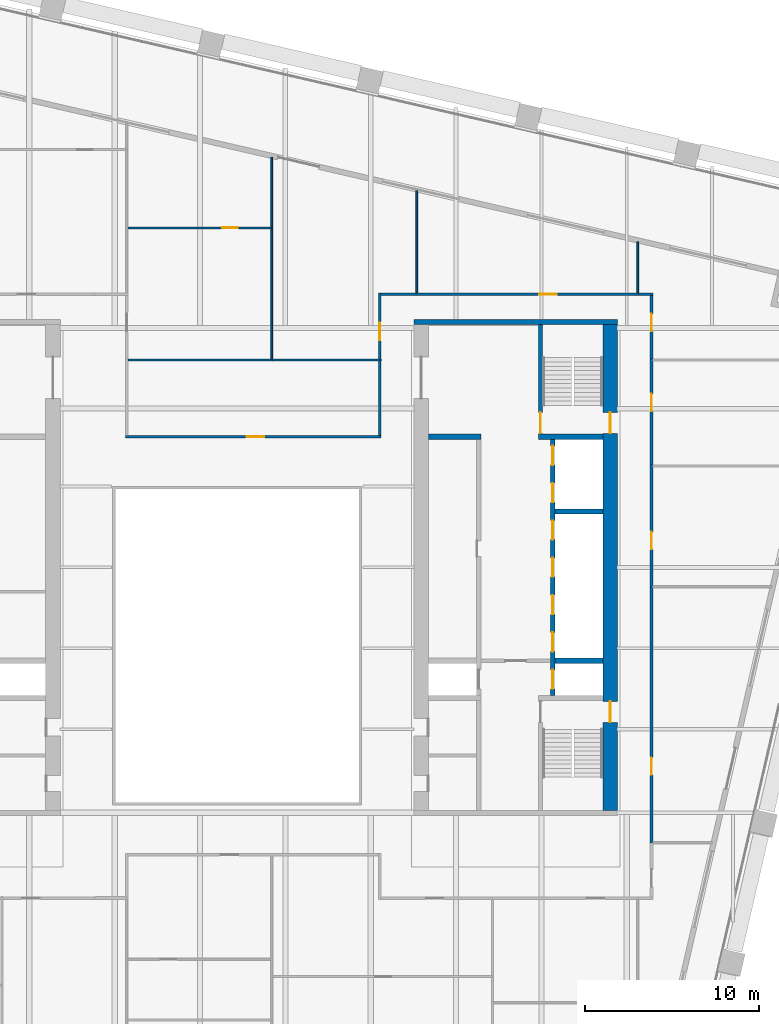
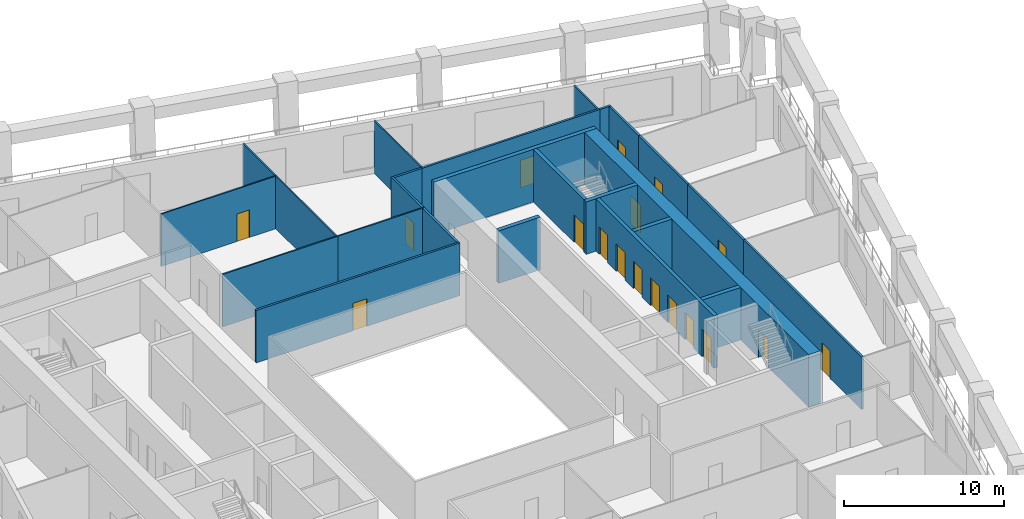
# One storey, part 8 of 12: 25 walls, 18 doors, 18 openings.
"""IFC4 building model written with IfcOpenShell, lengths in metres."""

from ifc_helpers import new_model, si_unit, direction, frame, frame_2d, origin, place, context, subcontext, project, spatial, rectangle, extrude, material, layer, layer_set, type_object, element, fill, save


model = new_model("IFC4")

# Units and contexts
model_context = context("Model", 3, precision=1e-05, world=origin(), true_north=direction((0.0, 1.0)))
body_context = subcontext(model_context, "Body", "Model", "MODEL_VIEW")
ifc_project = project(units=[si_unit("LENGTHUNIT", "METRE"), si_unit("AREAUNIT", "SQUARE_METRE"), si_unit("VOLUMEUNIT", "CUBIC_METRE"), si_unit("PLANEANGLEUNIT", "RADIAN"), si_unit("MASSUNIT", "GRAM", prefix="KILO")], contexts=[model_context])

# Site, building, storey
site_placement = place(None, origin())
site = spatial("IfcSite", under=ifc_project, at=site_placement, CompositionType="ELEMENT")
building_placement = place(site_placement, origin())
building = spatial("IfcBuilding", under=site, at=building_placement, Name="Ogive Exchange Tower", CompositionType="ELEMENT")
storey_placement = place(building_placement, frame((0.0, 0.0, 130.800048828125)))
storey = spatial("IfcBuildingStorey", under=building, at=storey_placement, Name="L28", CompositionType="ELEMENT", Elevation=130.800048828125)

# Wall
ifc_material_1 = material(Name="Gypsum board partition")
ifc_layer_1 = layer(ifc_material_1, 0.300048828125)
ifc_layer_set_1 = layer_set([ifc_layer_1], Name="Core room partition 300 gypsum")
wall_type_1 = type_object("IfcWallType", Name="Core room partition 300 gypsum", PredefinedType="PARTITIONING", material=ifc_layer_set_1)
wall_1_placement = place(storey_placement, frame((11.0, 19.0, 0.0), z_axis=(0.0, 0.0, 1.0), x_axis=(1.0, 0.0, 0.0)))
element("IfcWall", 1, at=wall_1_placement, inside=storey, type_object=wall_type_1, Name="E row B room end wall 7", PredefinedType="PARTITIONING", context=body_context, shape_type="SweptSolid", body=[
    extrude(rectangle(XDim=3.0, YDim=0.300048828125, at=frame_2d((1.5, 0.0))), origin(), (0.0, 0.0, 1.0), 4.0),
])

# Wall, opening, door
ifc_material_2 = material(Name="Fire partition EI 60 150")
ifc_layer_2 = layer(ifc_material_2, 0.14990234375)
ifc_layer_set_2 = layer_set([ifc_layer_2], Name="Fire partition EI 60 150")
wall_type_2 = type_object("IfcWallType", Name="Fire partition EI 60 150", PredefinedType="PARTITIONING", material=ifc_layer_set_2)
wall_2_placement = place(storey_placement, frame((-6.4150390625, 19.0, 0.0), z_axis=(0.0, 0.0, 1.0), x_axis=(1.0, 0.0, 0.0)))
wall_2 = element("IfcWall", 2, at=wall_2_placement, inside=storey, type_object=wall_type_2, Name="L28-PWL-043", PredefinedType="PARTITIONING", context=body_context, shape_type="SweptSolid", body=[
    extrude(rectangle(XDim=14.68994140625, YDim=0.14990234375, at=frame_2d((7.344970703125, 0.0))), origin(), (0.0, 0.0, 1.0), 4.0),
])
opening_1_placement = place(wall_2_placement, frame((6.965087890625, 0.0, 0.0)))
opening_1 = element("IfcOpeningElement", 3, at=opening_1_placement, cuts=wall_2, Name="Opening L28-I10", PredefinedType="OPENING", context=body_context, shape_type="SweptSolid", body=[
    extrude(rectangle(XDim=1.0, YDim=2.10009765625, at=frame_2d((0.5, 1.050048828125))), frame((0.0, 0.0849609375, 0.0), z_axis=(0.0, -1.0, 0.0), x_axis=(1.0, 0.0, 0.0)), (0.0, 0.0, 1.0), 0.169921875),
])
ifc_material_3 = material(Name="Fire door FD 30S 1000 x 2100")
door_type_1 = type_object("IfcDoorType", Name="Fire door FD 30S 1000 x 2100", OperationType="NOTDEFINED", PredefinedType="DOOR", material=ifc_material_3)
door_1_placement = place(opening_1_placement, origin())
door_1 = element("IfcDoor", 4, at=door_1_placement, inside=storey, type_object=door_type_1, Name="L28-IDR-010", ObjectType="DT3", OperationType="SINGLE_SWING_RIGHT", OverallHeight=2.10009765625, OverallWidth=1.0, PredefinedType="DOOR", context=body_context, shape_type="SweptSolid", body=[
    extrude(rectangle(XDim=1.0, YDim=2.10009765625, at=frame_2d((0.5, 1.050048828125))), frame((0.0, 0.02490234375, 0.0), z_axis=(0.0, -1.0, 0.0), x_axis=(1.0, 0.0, 0.0)), (0.0, 0.0, 1.0), 0.050048828125),
])
fill(opening_1, door_1)

# Wall
wall_3_placement = place(storey_placement, frame((8.199951171875, 19.074951171875, 0.0), z_axis=(0.0, 0.0, 1.0), x_axis=(0.0, 1.0, 0.0)))
element("IfcWall", 5, at=wall_3_placement, inside=storey, type_object=wall_type_2, Name="L28-PWL-063", PredefinedType="PARTITIONING", context=body_context, shape_type="SweptSolid", body=[
    extrude(rectangle(XDim=4.28515625, YDim=0.14990234375, at=frame_2d((2.142578125, 0.0))), origin(), (0.0, 0.0, 1.0), 4.0),
])

# Wall, opening, door
wall_4_placement = place(storey_placement, frame((8.199951171875, 23.4599609375, 0.0), z_axis=(0.0, 0.0, 1.0), x_axis=(0.0, 1.0, 0.0)))
wall_4 = element("IfcWall", 6, at=wall_4_placement, inside=storey, type_object=wall_type_2, Name="L28-PWL-064", PredefinedType="PARTITIONING", context=body_context, shape_type="SweptSolid", body=[
    extrude(rectangle(XDim=3.81494140625, YDim=0.14990234375, at=frame_2d((1.907470703125, 0.0))), origin(), (0.0, 0.0, 1.0), 4.0),
])
opening_2_placement = place(wall_4_placement, frame((1.090087890625, 0.0, 0.0)))
opening_2 = element("IfcOpeningElement", 7, at=opening_2_placement, cuts=wall_4, Name="Opening L28-I15", PredefinedType="OPENING", context=body_context, shape_type="SweptSolid", body=[
    extrude(rectangle(XDim=1.0, YDim=2.10009765625, at=frame_2d((0.5, 1.050048828125))), frame((0.0, 0.0849609375, 0.0), z_axis=(0.0, -1.0, 0.0), x_axis=(1.0, 0.0, 0.0)), (0.0, 0.0, 1.0), 0.169921875),
])
door_2_placement = place(opening_2_placement, origin())
door_2 = element("IfcDoor", 8, at=door_2_placement, inside=storey, type_object=door_type_1, Name="L28-IDR-015", ObjectType="DT3", OperationType="SINGLE_SWING_RIGHT", OverallHeight=2.10009765625, OverallWidth=1.0, PredefinedType="DOOR", context=body_context, shape_type="SweptSolid", body=[
    extrude(rectangle(XDim=1.0, YDim=2.10009765625, at=frame_2d((0.5, 1.050048828125))), frame((0.0, 0.02490234375, 0.0), z_axis=(0.0, -1.0, 0.0), x_axis=(1.0, 0.0, 0.0)), (0.0, 0.0, 1.0), 0.050048828125),
])
fill(opening_2, door_2)

# Wall
wall_5_placement = place(storey_placement, frame((8.27490234375, 27.199951171875, 0.0), z_axis=(0.0, 0.0, 1.0), x_axis=(1.0, 0.0, 0.0)))
element("IfcWall", 9, at=wall_5_placement, inside=storey, type_object=wall_type_2, Name="L28-PWL-065", PredefinedType="PARTITIONING", context=body_context, shape_type="SweptSolid", body=[
    extrude(rectangle(XDim=1.9951171875, YDim=0.14990234375, at=frame_2d((0.99755859375, 0.0))), origin(), (0.0, 0.0, 1.0), 4.0),
])

# Wall, opening, door
wall_6_placement = place(storey_placement, frame((10.27001953125, 27.199951171875, 0.0), z_axis=(0.0, 0.0, 1.0), x_axis=(1.0, 0.0, 0.0)))
wall_6 = element("IfcWall", 10, at=wall_6_placement, inside=storey, type_object=wall_type_2, Name="L28-PWL-066", PredefinedType="PARTITIONING", context=body_context, shape_type="SweptSolid", body=[
    extrude(rectangle(XDim=12.7900390625, YDim=0.14990234375, at=frame_2d((6.39501953125, 0.0))), origin(), (0.0, 0.0, 1.0), 4.0),
])
opening_3_placement = place(wall_6_placement, frame((7.090087890625, 0.0, 0.0)))
opening_3 = element("IfcOpeningElement", 11, at=opening_3_placement, cuts=wall_6, Name="Opening L28-I16", PredefinedType="OPENING", context=body_context, shape_type="SweptSolid", body=[
    extrude(rectangle(XDim=1.0, YDim=2.10009765625, at=frame_2d((0.5, 1.050048828125))), frame((0.0, 0.0849609375, 0.0), z_axis=(0.0, -1.0, 0.0), x_axis=(1.0, 0.0, 0.0)), (0.0, 0.0, 1.0), 0.169921875),
])
door_3_placement = place(opening_3_placement, origin())
door_3 = element("IfcDoor", 12, at=door_3_placement, inside=storey, type_object=door_type_1, Name="L28-IDR-016", ObjectType="DT3", OperationType="SINGLE_SWING_LEFT", OverallHeight=2.10009765625, OverallWidth=1.0, PredefinedType="DOOR", context=body_context, shape_type="SweptSolid", body=[
    extrude(rectangle(XDim=1.0, YDim=2.10009765625, at=frame_2d((0.5, 1.050048828125))), frame((0.0, 0.02490234375, 0.0), z_axis=(0.0, -1.0, 0.0), x_axis=(1.0, 0.0, 0.0)), (0.0, 0.0, 1.0), 0.050048828125),
])
fill(opening_3, door_3)

# Wall
wall_7_placement = place(storey_placement, frame((23.06005859375, 27.199951171875, 0.0), z_axis=(0.0, 0.0, 1.0), x_axis=(1.0, 0.0, 0.0)))
element("IfcWall", 13, at=wall_7_placement, inside=storey, type_object=wall_type_2, Name="L28-PWL-078", PredefinedType="PARTITIONING", context=body_context, shape_type="SweptSolid", body=[
    extrude(rectangle(XDim=0.81494140625, YDim=0.14990234375, at=frame_2d((0.407470703125, 0.0))), origin(), (0.0, 0.0, 1.0), 4.0),
])

# Wall, opening, door
wall_8_placement = place(storey_placement, frame((23.800048828125, 10.43994140625, 0.0), z_axis=(0.0, 0.0, 1.0), x_axis=(0.0, -1.0, 0.0)))
wall_8 = element("IfcWall", 14, at=wall_8_placement, inside=storey, type_object=wall_type_2, Name="L28-PWL-083", PredefinedType="PARTITIONING", context=body_context, shape_type="SweptSolid", body=[
    extrude(rectangle(XDim=14.760009765625, YDim=0.14990234375, at=frame_2d((7.3798828125, 0.0))), origin(), (0.0, 0.0, 1.0), 4.0),
])
opening_4_placement = place(wall_8_placement, frame((9.860107421875, 0.0, 0.0)))
opening_4 = element("IfcOpeningElement", 15, at=opening_4_placement, cuts=wall_8, Name="Opening L28-I09", PredefinedType="OPENING", context=body_context, shape_type="SweptSolid", body=[
    extrude(rectangle(XDim=1.0, YDim=2.10009765625, at=frame_2d((0.5, 1.050048828125))), frame((0.0, 0.0849609375, 0.0), z_axis=(0.0, -1.0, 0.0), x_axis=(1.0, 0.0, 0.0)), (0.0, 0.0, 1.0), 0.169921875),
])
door_4_placement = place(opening_4_placement, origin())
door_4 = element("IfcDoor", 16, at=door_4_placement, inside=storey, type_object=door_type_1, Name="L28-IDR-009", ObjectType="DT3", OperationType="SINGLE_SWING_LEFT", OverallHeight=2.10009765625, OverallWidth=1.0, PredefinedType="DOOR", context=body_context, shape_type="SweptSolid", body=[
    extrude(rectangle(XDim=1.0, YDim=2.10009765625, at=frame_2d((0.5, 1.050048828125))), frame((0.0, 0.02490234375, 0.0), z_axis=(0.0, -1.0, 0.0), x_axis=(1.0, 0.0, 0.0)), (0.0, 0.0, 1.0), 0.050048828125),
])
fill(opening_4, door_4)

wall_9_placement = place(storey_placement, frame((23.800048828125, 17.3701171875, 0.0), z_axis=(0.0, 0.0, 1.0), x_axis=(0.0, -1.0, 0.0)))
wall_9 = element("IfcWall", 17, at=wall_9_placement, inside=storey, type_object=wall_type_2, Name="L28-PWL-085", PredefinedType="PARTITIONING", context=body_context, shape_type="SweptSolid", body=[
    extrude(rectangle(XDim=6.980224609375, YDim=0.14990234375, at=frame_2d((3.490234375, 0.0))), origin(), (0.0, 0.0, 1.0), 4.0),
])
opening_5_placement = place(wall_9_placement, frame((3.830078125, 0.0, 0.0)))
opening_5 = element("IfcOpeningElement", 18, at=opening_5_placement, cuts=wall_9, Name="Opening L28-I11", PredefinedType="OPENING", context=body_context, shape_type="SweptSolid", body=[
    extrude(rectangle(XDim=1.0, YDim=2.10009765625, at=frame_2d((0.5, 1.050048828125))), frame((0.0, 0.0849609375, 0.0), z_axis=(0.0, -1.0, 0.0), x_axis=(1.0, 0.0, 0.0)), (0.0, 0.0, 1.0), 0.169921875),
])
door_5_placement = place(opening_5_placement, origin())
door_5 = element("IfcDoor", 19, at=door_5_placement, inside=storey, type_object=door_type_1, Name="L28-IDR-011", ObjectType="DT3", OperationType="SINGLE_SWING_LEFT", OverallHeight=2.10009765625, OverallWidth=1.0, PredefinedType="DOOR", context=body_context, shape_type="SweptSolid", body=[
    extrude(rectangle(XDim=1.0, YDim=2.10009765625, at=frame_2d((0.5, 1.050048828125))), frame((0.0, 0.02490234375, 0.0), z_axis=(0.0, -1.0, 0.0), x_axis=(1.0, 0.0, 0.0)), (0.0, 0.0, 1.0), 0.050048828125),
])
fill(opening_5, door_5)

wall_10_placement = place(storey_placement, frame((23.800048828125, 23.4599609375, 0.0), z_axis=(0.0, 0.0, 1.0), x_axis=(0.0, -1.0, 0.0)))
wall_10 = element("IfcWall", 20, at=wall_10_placement, inside=storey, type_object=wall_type_2, Name="L28-PWL-087", PredefinedType="PARTITIONING", context=body_context, shape_type="SweptSolid", body=[
    extrude(rectangle(XDim=6.08984375, YDim=0.14990234375, at=frame_2d((3.044921875, 0.0))), origin(), (0.0, 0.0, 1.0), 4.0),
])
opening_6_placement = place(wall_10_placement, frame((1.989990234375, 0.0, 0.0)))
opening_6 = element("IfcOpeningElement", 21, at=opening_6_placement, cuts=wall_10, Name="Opening L28-I12", PredefinedType="OPENING", context=body_context, shape_type="SweptSolid", body=[
    extrude(rectangle(XDim=1.0, YDim=2.10009765625, at=frame_2d((0.5, 1.050048828125))), frame((0.0, 0.0849609375, 0.0), z_axis=(0.0, -1.0, 0.0), x_axis=(1.0, 0.0, 0.0)), (0.0, 0.0, 1.0), 0.169921875),
])
door_6_placement = place(opening_6_placement, origin())
door_6 = element("IfcDoor", 22, at=door_6_placement, inside=storey, type_object=door_type_1, Name="L28-IDR-012", ObjectType="DT3", OperationType="SINGLE_SWING_RIGHT", OverallHeight=2.10009765625, OverallWidth=1.0, PredefinedType="DOOR", context=body_context, shape_type="SweptSolid", body=[
    extrude(rectangle(XDim=1.0, YDim=2.10009765625, at=frame_2d((0.5, 1.050048828125))), frame((0.0, 0.02490234375, 0.0), z_axis=(0.0, -1.0, 0.0), x_axis=(1.0, 0.0, 0.0)), (0.0, 0.0, 1.0), 0.050048828125),
])
fill(opening_6, door_6)

wall_11_placement = place(storey_placement, frame((23.800048828125, 27.125, 0.0), z_axis=(0.0, 0.0, 1.0), x_axis=(0.0, -1.0, 0.0)))
wall_11 = element("IfcWall", 23, at=wall_11_placement, inside=storey, type_object=wall_type_2, Name="L28-PWL-089", PredefinedType="PARTITIONING", context=body_context, shape_type="SweptSolid", body=[
    extrude(rectangle(XDim=3.6650390625, YDim=0.14990234375, at=frame_2d((1.83251953125, 0.0))), origin(), (0.0, 0.0, 1.0), 4.0),
])
opening_7_placement = place(wall_11_placement, frame((1.06494140625, 0.0, 0.0)))
opening_7 = element("IfcOpeningElement", 24, at=opening_7_placement, cuts=wall_11, Name="Opening L28-I17", PredefinedType="OPENING", context=body_context, shape_type="SweptSolid", body=[
    extrude(rectangle(XDim=1.0, YDim=2.10009765625, at=frame_2d((0.5, 1.050048828125))), frame((0.0, 0.0849609375, 0.0), z_axis=(0.0, -1.0, 0.0), x_axis=(1.0, 0.0, 0.0)), (0.0, 0.0, 1.0), 0.169921875),
])
door_7_placement = place(opening_7_placement, origin())
door_7 = element("IfcDoor", 25, at=door_7_placement, inside=storey, type_object=door_type_1, Name="L28-IDR-017", ObjectType="DT3", OperationType="SINGLE_SWING_LEFT", OverallHeight=2.10009765625, OverallWidth=1.0, PredefinedType="DOOR", context=body_context, shape_type="SweptSolid", body=[
    extrude(rectangle(XDim=1.0, YDim=2.10009765625, at=frame_2d((0.5, 1.050048828125))), frame((0.0, 0.02490234375, 0.0), z_axis=(0.0, -1.0, 0.0), x_axis=(1.0, 0.0, 0.0)), (0.0, 0.0, 1.0), 0.050048828125),
])
fill(opening_7, door_7)

# Walls
ifc_material_4 = material(Name="Partition 100 gypsum")
ifc_layer_3 = layer(ifc_material_4, 0.10009765625)
ifc_layer_set_3 = layer_set([ifc_layer_3], Name="Partition 100 gypsum")
wall_type_3 = type_object("IfcWallType", Name="Partition 100 gypsum", PredefinedType="PARTITIONING", material=ifc_layer_set_3)
wall_12_placement = place(storey_placement, frame((-6.264892578125, 23.409912109375, 0.0), z_axis=(0.0, 0.0, 1.0), x_axis=(1.0, 0.0, 0.0)))
element("IfcWall", 26, at=wall_12_placement, inside=storey, type_object=wall_type_3, Name="L28-PWL-045", PredefinedType="PARTITIONING", context=body_context, shape_type="SweptSolid", body=[
    extrude(rectangle(XDim=8.304931640625, YDim=0.10009765625, at=frame_2d((4.15234375, 0.0))), origin(), (0.0, 0.0, 1.0), 4.0),
])
wall_13_placement = place(storey_placement, frame((2.0400390625, 23.409912109375, 0.0), z_axis=(0.0, 0.0, 1.0), x_axis=(1.0, 0.0, 0.0)))
element("IfcWall", 27, at=wall_13_placement, inside=storey, type_object=wall_type_3, Name="L28-PWL-057", PredefinedType="PARTITIONING", context=body_context, shape_type="SweptSolid", body=[
    extrude(rectangle(XDim=6.23486328125, YDim=0.10009765625, at=frame_2d((3.117431640625, 0.0))), origin(), (0.0, 0.0, 1.0), 4.0),
])

# Wall, opening, door
wall_14_placement = place(storey_placement, frame((2.0400390625, 31.0, 0.0), z_axis=(0.0, 0.0, 1.0), x_axis=(-1.0, 0.0, 0.0)))
wall_14 = element("IfcWall", 28, at=wall_14_placement, inside=storey, type_object=wall_type_3, Name="L28-PWL-058", PredefinedType="PARTITIONING", context=body_context, shape_type="SweptSolid", body=[
    extrude(rectangle(XDim=8.330078125, YDim=0.10009765625, at=frame_2d((4.1650390625, 0.0))), origin(), (0.0, 0.0, 1.0), 4.0),
])
opening_8_placement = place(wall_14_placement, frame((2.0, 0.0, 0.0)))
opening_8 = element("IfcOpeningElement", 29, at=opening_8_placement, cuts=wall_14, Name="Opening L28-I13", PredefinedType="OPENING", context=body_context, shape_type="SweptSolid", body=[
    extrude(rectangle(XDim=0.89990234375, YDim=2.10009765625, at=frame_2d((0.449951171875, 1.050048828125))), frame((0.0, 0.06005859375, 0.0), z_axis=(0.0, -1.0, 0.0), x_axis=(1.0, 0.0, 0.0)), (0.0, 0.0, 1.0), 0.1201171875),
])
ifc_material_5 = material(Name="Door 900 x 2100")
door_type_2 = type_object("IfcDoorType", Name="Door 900 x 2100", OperationType="NOTDEFINED", PredefinedType="DOOR", material=ifc_material_5)
door_8_placement = place(opening_8_placement, frame((0.89990234375, 0.0, 0.0), z_axis=(0.0, 0.0, 1.0), x_axis=(-1.0, 0.0, 0.0)))
door_8 = element("IfcDoor", 30, at=door_8_placement, inside=storey, type_object=door_type_2, Name="L28-IDR-013", ObjectType="DT1", OperationType="SINGLE_SWING_LEFT", OverallHeight=2.10009765625, OverallWidth=0.89990234375, PredefinedType="DOOR", context=body_context, shape_type="SweptSolid", body=[
    extrude(rectangle(XDim=0.89990234375, YDim=2.10009765625, at=frame_2d((0.449951171875, 1.050048828125))), frame((0.0, 0.02490234375, 0.0), z_axis=(0.0, -1.0, 0.0), x_axis=(1.0, 0.0, 0.0)), (0.0, 0.0, 1.0), 0.050048828125),
])
fill(opening_8, door_8)

# Walls
wall_15_placement = place(storey_placement, frame((1.989990234375, 30.949951171875, 0.0), z_axis=(0.0, 0.0, 1.0), x_axis=(0.0, -1.0, 0.0)))
element("IfcWall", 31, at=wall_15_placement, inside=storey, type_object=wall_type_3, Name="L28-PWL-059", PredefinedType="PARTITIONING", context=body_context, shape_type="SweptSolid", body=[
    extrude(rectangle(XDim=7.489990234375, YDim=0.10009765625, at=frame_2d((3.7451171875, 0.0))), origin(), (0.0, 0.0, 1.0), 4.0),
])
wall_16_placement = place(storey_placement, frame((1.989990234375, 35.06494140625, 0.0), z_axis=(0.0, 0.0, 1.0), x_axis=(0.0, -1.0, 0.0)))
element("IfcWall", 32, at=wall_16_placement, inside=storey, type_object=wall_type_3, Name="L28-PWL-060", PredefinedType="PARTITIONING", context=body_context, shape_type="SweptSolid", body=[
    extrude(rectangle(XDim=4.014892578125, YDim=0.10009765625, at=frame_2d((2.00732421875, 0.0))), origin(), (0.0, 0.0, 1.0), 4.0),
])
wall_17_placement = place(storey_placement, frame((10.320068359375, 33.14208984375, 0.0), z_axis=(0.0, 0.0, 1.0), x_axis=(0.0, -1.0, 0.0)))
element("IfcWall", 33, at=wall_17_placement, inside=storey, type_object=wall_type_3, Name="L28-PWL-067", PredefinedType="PARTITIONING", context=body_context, shape_type="SweptSolid", body=[
    extrude(rectangle(XDim=5.8671875, YDim=0.10009765625, at=frame_2d((2.93359375, 0.0))), origin(), (0.0, 0.0, 1.0), 4.0),
])
wall_18_placement = place(storey_placement, frame((23.010009765625, 30.2119140625, 0.0), z_axis=(0.0, 0.0, 1.0), x_axis=(0.0, -1.0, 0.0)))
element("IfcWall", 34, at=wall_18_placement, inside=storey, type_object=wall_type_3, Name="L28-PWL-079", PredefinedType="PARTITIONING", context=body_context, shape_type="SweptSolid", body=[
    extrude(rectangle(XDim=2.93701171875, YDim=0.10009765625, at=frame_2d((1.468505859375, 0.0))), origin(), (0.0, 0.0, 1.0), 4.0),
])

# Wall, opening, door
ifc_material_6 = material(Name="Concrete C70/85", Category="concrete")
ifc_layer_4 = layer(ifc_material_6, 0.25)
ifc_layer_set_4 = layer_set([ifc_layer_4], Name="RC core wall 250 C70/85")
wall_type_4 = type_object("IfcWallType", Name="RC core wall 250 C70/85", PredefinedType="SHEAR", material=ifc_layer_set_4)
wall_19_placement = place(storey_placement, frame((17.425048828125, 19.14990234375, 0.0), z_axis=(0.0, 0.0, 1.0), x_axis=(0.0, 1.0, 0.0)))
wall_19 = element("IfcWall", 35, at=wall_19_placement, inside=storey, type_object=wall_type_4, Name="E stair N front wall", PredefinedType="SHEAR", context=body_context, shape_type="SweptSolid", body=[
    extrude(rectangle(XDim=6.300048828125, YDim=0.25, at=frame_2d((3.14990234375, 0.0))), origin(), (0.0, 0.0, 1.0), 4.0),
])
opening_9_placement = place(wall_19_placement, frame((0.050048828125, 0.0, 0.0)))
opening_9 = element("IfcOpeningElement", 36, at=opening_9_placement, cuts=wall_19, Name="Opening L28-C32", PredefinedType="OPENING", context=body_context, shape_type="SweptSolid", body=[
    extrude(rectangle(XDim=1.199951171875, YDim=2.10009765625, at=frame_2d((0.60009765625, 1.050048828125))), frame((0.0, 0.135009765625, 0.0), z_axis=(0.0, -1.0, 0.0), x_axis=(1.0, 0.0, 0.0)), (0.0, 0.0, 1.0), 0.27001953125),
])
ifc_material_7 = material(Name="Steel fire door", Category="steel")
door_type_3 = type_object("IfcDoorType", Name="Stair door FD90 1200 x 2100", OperationType="NOTDEFINED", PredefinedType="DOOR", material=ifc_material_7)
door_9_placement = place(opening_9_placement, frame((1.199951171875, 0.0, 0.0), z_axis=(0.0, 0.0, 1.0), x_axis=(-1.0, 0.0, 0.0)))
door_9 = element("IfcDoor", 37, at=door_9_placement, inside=storey, type_object=door_type_3, Name="Stair door", ObjectType="CD5", OperationType="SINGLE_SWING_LEFT", OverallHeight=2.10009765625, OverallWidth=1.199951171875, PredefinedType="DOOR", context=body_context, shape_type="SweptSolid", body=[
    extrude(rectangle(XDim=1.199951171875, YDim=2.10009765625, at=frame_2d((0.60009765625, 1.050048828125))), frame((0.0, 0.02490234375, 0.0), z_axis=(0.0, -1.0, 0.0), x_axis=(1.0, 0.0, 0.0)), (0.0, 0.0, 1.0), 0.050048828125),
])
fill(opening_9, door_9)

# Wall, openings, doors
wall_20_placement = place(storey_placement, frame((18.125, 4.14990234375, 0.0), z_axis=(0.0, 0.0, 1.0), x_axis=(0.0, 1.0, 0.0)))
wall_20 = element("IfcWall", 38, at=wall_20_placement, inside=storey, type_object=wall_type_4, Name="E row A front wall", PredefinedType="SHEAR", context=body_context, shape_type="SweptSolid", body=[
    extrude(rectangle(XDim=14.7001953125, YDim=0.25, at=frame_2d((7.35009765625, 0.0))), origin(), (0.0, 0.0, 1.0), 4.0),
])
opening_10_placement = place(wall_20_placement, frame((0.371337890625, 0.0, 0.0)))
opening_10 = element("IfcOpeningElement", 39, at=opening_10_placement, cuts=wall_20, Name="Opening L28-C19", PredefinedType="OPENING", context=body_context, shape_type="SweptSolid", body=[
    extrude(rectangle(XDim=1.10009765625, YDim=2.10009765625, at=frame_2d((0.550048828125, 1.050048828125))), frame((0.0, 0.135009765625, 0.0), z_axis=(0.0, -1.0, 0.0), x_axis=(1.0, 0.0, 0.0)), (0.0, 0.0, 1.0), 0.27001953125),
])
opening_11_placement = place(wall_20_placement, frame((2.514404296875, 0.0, 0.0)))
opening_11 = element("IfcOpeningElement", 40, at=opening_11_placement, cuts=wall_20, Name="Opening L28-C20", PredefinedType="OPENING", context=body_context, shape_type="SweptSolid", body=[
    extrude(rectangle(XDim=1.10009765625, YDim=2.10009765625, at=frame_2d((0.550048828125, 1.050048828125))), frame((0.0, 0.135009765625, 0.0), z_axis=(0.0, -1.0, 0.0), x_axis=(1.0, 0.0, 0.0)), (0.0, 0.0, 1.0), 0.27001953125),
])
opening_12_placement = place(wall_20_placement, frame((4.656982421875, 0.0, 0.0)))
opening_12 = element("IfcOpeningElement", 41, at=opening_12_placement, cuts=wall_20, Name="Opening L28-C21", PredefinedType="OPENING", context=body_context, shape_type="SweptSolid", body=[
    extrude(rectangle(XDim=1.10009765625, YDim=2.10009765625, at=frame_2d((0.550048828125, 1.050048828125))), frame((0.0, 0.135009765625, 0.0), z_axis=(0.0, -1.0, 0.0), x_axis=(1.0, 0.0, 0.0)), (0.0, 0.0, 1.0), 0.27001953125),
])
opening_13_placement = place(wall_20_placement, frame((6.800048828125, 0.0, 0.0)))
opening_13 = element("IfcOpeningElement", 42, at=opening_13_placement, cuts=wall_20, Name="Opening L28-C22", PredefinedType="OPENING", context=body_context, shape_type="SweptSolid", body=[
    extrude(rectangle(XDim=1.10009765625, YDim=2.10009765625, at=frame_2d((0.550048828125, 1.050048828125))), frame((0.0, 0.135009765625, 0.0), z_axis=(0.0, -1.0, 0.0), x_axis=(1.0, 0.0, 0.0)), (0.0, 0.0, 1.0), 0.27001953125),
])
opening_14_placement = place(wall_20_placement, frame((8.94287109375, 0.0, 0.0)))
opening_14 = element("IfcOpeningElement", 43, at=opening_14_placement, cuts=wall_20, Name="Opening L28-C23", PredefinedType="OPENING", context=body_context, shape_type="SweptSolid", body=[
    extrude(rectangle(XDim=1.10009765625, YDim=2.10009765625, at=frame_2d((0.550048828125, 1.050048828125))), frame((0.0, 0.135009765625, 0.0), z_axis=(0.0, -1.0, 0.0), x_axis=(1.0, 0.0, 0.0)), (0.0, 0.0, 1.0), 0.27001953125),
])
opening_15_placement = place(wall_20_placement, frame((11.085693359375, 0.0, 0.0)))
opening_15 = element("IfcOpeningElement", 44, at=opening_15_placement, cuts=wall_20, Name="Opening L28-C24", PredefinedType="OPENING", context=body_context, shape_type="SweptSolid", body=[
    extrude(rectangle(XDim=1.10009765625, YDim=2.10009765625, at=frame_2d((0.550048828125, 1.050048828125))), frame((0.0, 0.135009765625, 0.0), z_axis=(0.0, -1.0, 0.0), x_axis=(1.0, 0.0, 0.0)), (0.0, 0.0, 1.0), 0.27001953125),
])
opening_16_placement = place(wall_20_placement, frame((13.228515625, 0.0, 0.0)))
opening_16 = element("IfcOpeningElement", 45, at=opening_16_placement, cuts=wall_20, Name="Opening L28-C25", PredefinedType="OPENING", context=body_context, shape_type="SweptSolid", body=[
    extrude(rectangle(XDim=1.10009765625, YDim=2.10009765625, at=frame_2d((0.550048828125, 1.050048828125))), frame((0.0, 0.135009765625, 0.0), z_axis=(0.0, -1.0, 0.0), x_axis=(1.0, 0.0, 0.0)), (0.0, 0.0, 1.0), 0.27001953125),
])
ifc_material_8 = material(Name="Stainless steel", Category="steel")
door_type_4 = type_object("IfcDoorType", Name="Lift landing door FD90 1100 x 2100", OperationType="SLIDING_TO_LEFT", PredefinedType="DOOR", material=ifc_material_8)
door_10_placement = place(opening_10_placement, origin())
door_10 = element("IfcDoor", 46, at=door_10_placement, inside=storey, type_object=door_type_4, Name="Lift landing door FF2", ObjectType="LD", OperationType="SLIDING_TO_LEFT", OverallHeight=2.10009765625, OverallWidth=1.10009765625, PredefinedType="DOOR", context=body_context, shape_type="SweptSolid", body=[
    extrude(rectangle(XDim=1.10009765625, YDim=2.10009765625, at=frame_2d((0.550048828125, 1.050048828125))), frame((0.0, 0.02490234375, 0.0), z_axis=(0.0, -1.0, 0.0), x_axis=(1.0, 0.0, 0.0)), (0.0, 0.0, 1.0), 0.050048828125),
])
fill(opening_10, door_10)
door_11_placement = place(opening_11_placement, origin())
door_11 = element("IfcDoor", 47, at=door_11_placement, inside=storey, type_object=door_type_4, Name="Lift landing door E-L1", ObjectType="LD", OperationType="SLIDING_TO_LEFT", OverallHeight=2.10009765625, OverallWidth=1.10009765625, PredefinedType="DOOR", context=body_context, shape_type="SweptSolid", body=[
    extrude(rectangle(XDim=1.10009765625, YDim=2.10009765625, at=frame_2d((0.550048828125, 1.050048828125))), frame((0.0, 0.02490234375, 0.0), z_axis=(0.0, -1.0, 0.0), x_axis=(1.0, 0.0, 0.0)), (0.0, 0.0, 1.0), 0.050048828125),
])
fill(opening_11, door_11)
door_12_placement = place(opening_12_placement, origin())
door_12 = element("IfcDoor", 48, at=door_12_placement, inside=storey, type_object=door_type_4, Name="Lift landing door E-L2", ObjectType="LD", OperationType="SLIDING_TO_LEFT", OverallHeight=2.10009765625, OverallWidth=1.10009765625, PredefinedType="DOOR", context=body_context, shape_type="SweptSolid", body=[
    extrude(rectangle(XDim=1.10009765625, YDim=2.10009765625, at=frame_2d((0.550048828125, 1.050048828125))), frame((0.0, 0.02490234375, 0.0), z_axis=(0.0, -1.0, 0.0), x_axis=(1.0, 0.0, 0.0)), (0.0, 0.0, 1.0), 0.050048828125),
])
fill(opening_12, door_12)
door_13_placement = place(opening_13_placement, origin())
door_13 = element("IfcDoor", 49, at=door_13_placement, inside=storey, type_object=door_type_4, Name="Lift landing door E-L3", ObjectType="LD", OperationType="SLIDING_TO_LEFT", OverallHeight=2.10009765625, OverallWidth=1.10009765625, PredefinedType="DOOR", context=body_context, shape_type="SweptSolid", body=[
    extrude(rectangle(XDim=1.10009765625, YDim=2.10009765625, at=frame_2d((0.550048828125, 1.050048828125))), frame((0.0, 0.02490234375, 0.0), z_axis=(0.0, -1.0, 0.0), x_axis=(1.0, 0.0, 0.0)), (0.0, 0.0, 1.0), 0.050048828125),
])
fill(opening_13, door_13)
door_14_placement = place(opening_14_placement, origin())
door_14 = element("IfcDoor", 50, at=door_14_placement, inside=storey, type_object=door_type_4, Name="Lift landing door E-L4", ObjectType="LD", OperationType="SLIDING_TO_LEFT", OverallHeight=2.10009765625, OverallWidth=1.10009765625, PredefinedType="DOOR", context=body_context, shape_type="SweptSolid", body=[
    extrude(rectangle(XDim=1.10009765625, YDim=2.10009765625, at=frame_2d((0.550048828125, 1.050048828125))), frame((0.0, 0.02490234375, 0.0), z_axis=(0.0, -1.0, 0.0), x_axis=(1.0, 0.0, 0.0)), (0.0, 0.0, 1.0), 0.050048828125),
])
fill(opening_14, door_14)
door_15_placement = place(opening_15_placement, origin())
door_15 = element("IfcDoor", 51, at=door_15_placement, inside=storey, type_object=door_type_4, Name="Lift landing door E-SH1", ObjectType="LD", OperationType="SLIDING_TO_LEFT", OverallHeight=2.10009765625, OverallWidth=1.10009765625, PredefinedType="DOOR", context=body_context, shape_type="SweptSolid", body=[
    extrude(rectangle(XDim=1.10009765625, YDim=2.10009765625, at=frame_2d((0.550048828125, 1.050048828125))), frame((0.0, 0.02490234375, 0.0), z_axis=(0.0, -1.0, 0.0), x_axis=(1.0, 0.0, 0.0)), (0.0, 0.0, 1.0), 0.050048828125),
])
fill(opening_15, door_15)
door_16_placement = place(opening_16_placement, origin())
door_16 = element("IfcDoor", 52, at=door_16_placement, inside=storey, type_object=door_type_4, Name="Lift landing door E-SH2", ObjectType="LD", OperationType="SLIDING_TO_LEFT", OverallHeight=2.10009765625, OverallWidth=1.10009765625, PredefinedType="DOOR", context=body_context, shape_type="SweptSolid", body=[
    extrude(rectangle(XDim=1.10009765625, YDim=2.10009765625, at=frame_2d((0.550048828125, 1.050048828125))), frame((0.0, 0.02490234375, 0.0), z_axis=(0.0, -1.0, 0.0), x_axis=(1.0, 0.0, 0.0)), (0.0, 0.0, 1.0), 0.050048828125),
])
fill(opening_16, door_16)

# Walls
ifc_layer_5 = layer(ifc_material_6, 0.300048828125)
ifc_layer_set_5 = layer_set([ifc_layer_5], Name="RC core wall 300 C70/85")
wall_type_5 = type_object("IfcWallType", Name="RC core wall 300 C70/85", PredefinedType="SHEAR", material=ifc_layer_set_5)
wall_21_placement = place(storey_placement, frame((10.14990234375, 25.60009765625, 0.0), z_axis=(0.0, 0.0, 1.0), x_axis=(1.0, 0.0, 0.0)))
element("IfcWall", 53, at=wall_21_placement, inside=storey, type_object=wall_type_5, Name="E north end wall", PredefinedType="SHEAR", context=body_context, shape_type="SweptSolid", body=[
    extrude(rectangle(XDim=11.7001953125, YDim=0.300048828125, at=frame_2d((5.85009765625, 0.0))), origin(), (0.0, 0.0, 1.0), 4.0),
])
wall_22_placement = place(storey_placement, frame((17.300048828125, 19.0, 0.0), z_axis=(0.0, 0.0, 1.0), x_axis=(1.0, 0.0, 0.0)))
element("IfcWall", 54, at=wall_22_placement, inside=storey, type_object=wall_type_5, Name="E stair N south wall", PredefinedType="SHEAR", context=body_context, shape_type="SweptSolid", body=[
    extrude(rectangle(XDim=3.699951171875, YDim=0.300048828125, at=frame_2d((1.85009765625, 0.0))), origin(), (0.0, 0.0, 1.0), 4.0),
])
for number, where, z_axis, x_axis, name in (
    (55, (18.25, 6.142822265625, 0.0), (0.0, 0.0, 1.0), (1.0, 0.0, 0.0), "E row A divider 1"),
    (56, (18.25, 14.71435546875, 0.0), (0.0, 0.0, 1.0), (1.0, 0.0, 0.0), "E row A divider 5"),
):
    element("IfcWall", number, at=place(storey_placement, frame(where, z_axis=z_axis, x_axis=x_axis)), inside=storey, type_object=wall_type_5, Name=name, PredefinedType="SHEAR", context=body_context, shape_type="SweptSolid", body=[
        extrude(rectangle(XDim=2.75, YDim=0.300048828125, at=frame_2d((1.375, 0.0))), origin(), (0.0, 0.0, 1.0), 4.0),
    ])

# Wall, openings, doors
ifc_layer_6 = layer(ifc_material_6, 0.85009765625)
ifc_layer_set_6 = layer_set([ifc_layer_6], Name="RC core wall 850 C70/85")
wall_type_6 = type_object("IfcWallType", Name="RC core wall 850 C70/85", PredefinedType="SHEAR", material=ifc_layer_set_6)
wall_23_placement = place(storey_placement, frame((21.425048828125, -2.449951171875, 0.0), z_axis=(0.0, 0.0, 1.0), x_axis=(0.0, 1.0, 0.0)))
wall_23 = element("IfcWall", 57, at=wall_23_placement, inside=storey, type_object=wall_type_6, Name="E outer wall", PredefinedType="SHEAR", context=body_context, shape_type="SweptSolid", body=[
    extrude(rectangle(XDim=27.89990234375, YDim=0.85009765625, at=frame_2d((13.949951171875, 0.0))), origin(), (0.0, 0.0, 1.0), 4.0),
])
opening_17_placement = place(wall_23_placement, frame((5.050048828125, 0.0, 0.0)))
opening_17 = element("IfcOpeningElement", 58, at=opening_17_placement, cuts=wall_23, Name="Opening L28-C31", PredefinedType="OPENING", context=body_context, shape_type="SweptSolid", body=[
    extrude(rectangle(XDim=1.199951171875, YDim=2.10009765625, at=frame_2d((0.60009765625, 1.050048828125))), frame((0.0, 0.43505859375, 0.0), z_axis=(0.0, -1.0, 0.0), x_axis=(1.0, 0.0, 0.0)), (0.0, 0.0, 1.0), 0.8701171875),
])
opening_18_placement = place(wall_23_placement, frame((21.64990234375, 0.0, 0.0)))
opening_18 = element("IfcOpeningElement", 59, at=opening_18_placement, cuts=wall_23, Name="Opening L28-C33", PredefinedType="OPENING", context=body_context, shape_type="SweptSolid", body=[
    extrude(rectangle(XDim=1.199951171875, YDim=2.10009765625, at=frame_2d((0.60009765625, 1.050048828125))), frame((0.0, 0.43505859375, 0.0), z_axis=(0.0, -1.0, 0.0), x_axis=(1.0, 0.0, 0.0)), (0.0, 0.0, 1.0), 0.8701171875),
])
door_17_placement = place(opening_17_placement, origin())
door_17 = element("IfcDoor", 60, at=door_17_placement, inside=storey, type_object=door_type_3, Name="Stair door", ObjectType="CD5", OperationType="SINGLE_SWING_LEFT", OverallHeight=2.10009765625, OverallWidth=1.199951171875, PredefinedType="DOOR", context=body_context, shape_type="SweptSolid", body=[
    extrude(rectangle(XDim=1.199951171875, YDim=2.10009765625, at=frame_2d((0.60009765625, 1.050048828125))), frame((0.0, 0.02490234375, 0.0), z_axis=(0.0, -1.0, 0.0), x_axis=(1.0, 0.0, 0.0)), (0.0, 0.0, 1.0), 0.050048828125),
])
fill(opening_17, door_17)
door_18_placement = place(opening_18_placement, origin())
door_18 = element("IfcDoor", 61, at=door_18_placement, inside=storey, type_object=door_type_3, Name="Stair door", ObjectType="CD5", OperationType="SINGLE_SWING_RIGHT", OverallHeight=2.10009765625, OverallWidth=1.199951171875, PredefinedType="DOOR", context=body_context, shape_type="SweptSolid", body=[
    extrude(rectangle(XDim=1.199951171875, YDim=2.10009765625, at=frame_2d((0.60009765625, 1.050048828125))), frame((0.0, 0.02490234375, 0.0), z_axis=(0.0, -1.0, 0.0), x_axis=(1.0, 0.0, 0.0)), (0.0, 0.0, 1.0), 0.050048828125),
])
fill(opening_18, door_18)

save(model, "model.ifc")
